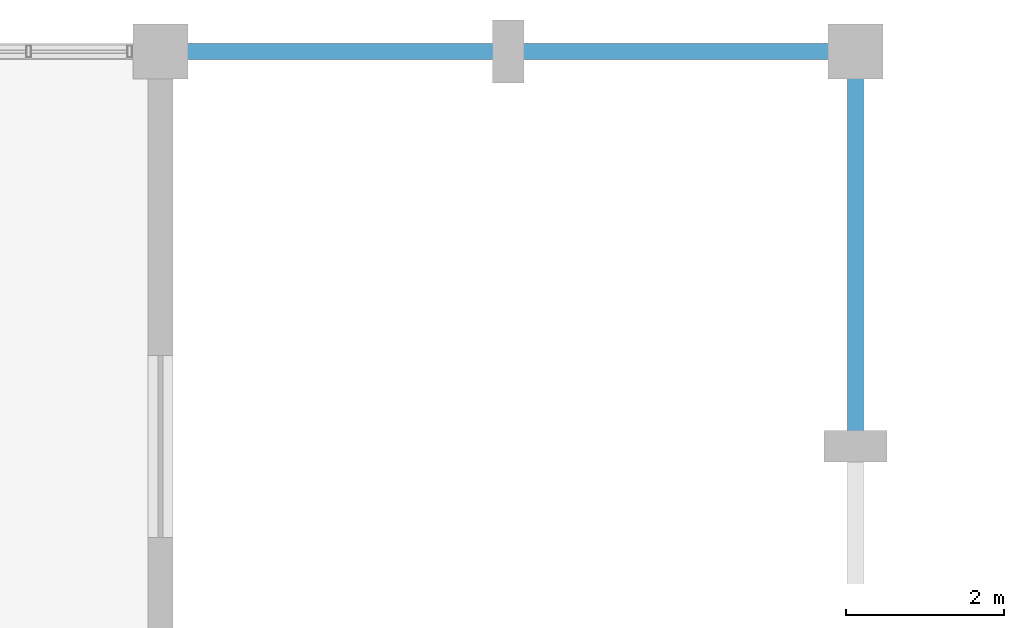
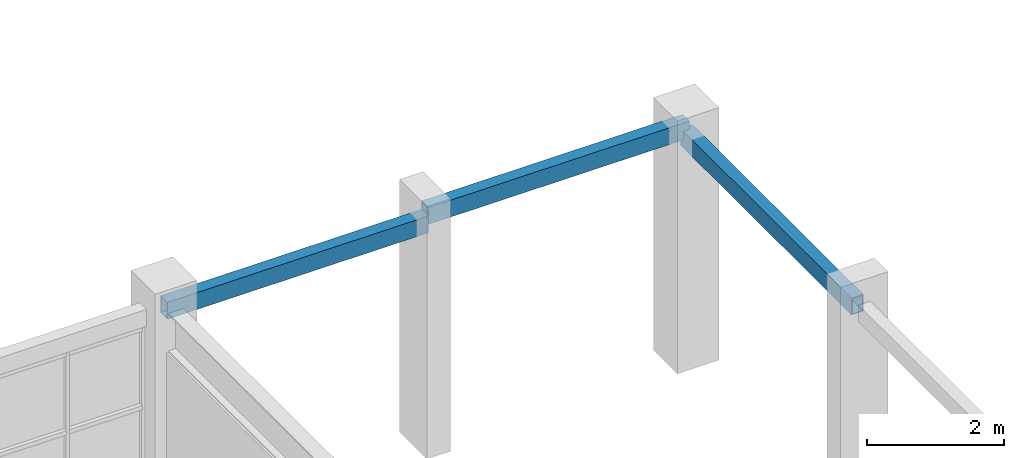
# One storey, part 32 of 55: 3 beams.
"""IFC4 building model written with IfcOpenShell, lengths in metres."""

from ifc_helpers import new_model, si_unit, direction, frame, origin, origin_2d, place, context, subcontext, project, spatial, hollow_rectangle, extrude, material, material_profile, profile_set, type_object, element, save


model = new_model("IFC4")

# Units and contexts
model_context = context("Model", 3, precision=1e-05, world=origin(), true_north=direction((0.0, 1.0)))
body_context = subcontext(model_context, "Body", "Model", "MODEL_VIEW")
ifc_project = project(units=[si_unit("LENGTHUNIT", "METRE"), si_unit("AREAUNIT", "SQUARE_METRE"), si_unit("VOLUMEUNIT", "CUBIC_METRE"), si_unit("PLANEANGLEUNIT", "RADIAN"), si_unit("MASSUNIT", "GRAM", prefix="KILO")], contexts=[model_context])

# Site, building, storey
site_placement = place(None, origin())
site = spatial("IfcSite", under=ifc_project, at=site_placement, CompositionType="ELEMENT")
building_placement = place(site_placement, origin())
building = spatial("IfcBuilding", under=site, at=building_placement, Name="Ventoquebrada Cableway Terminal", CompositionType="ELEMENT")
storey_placement = place(building_placement, frame((0.0, 0.0, 14.39990234375)))
storey = spatial("IfcBuildingStorey", under=building, at=storey_placement, Name="L03", CompositionType="ELEMENT", Elevation=14.39990234375)

# Beams
ifc_material = material(Name="Steel ASTM A500 Grade C", Category="steel")
ifc_material_profile = material_profile(ifc_material, hollow_rectangle(XDim=0.199951171875, YDim=0.300048828125, WallThickness=0.012451171875, at=origin_2d()), Name="RHS300X200X12.5")
ifc_profile_set = profile_set([ifc_material_profile], Name="Steel ASTM A500 Grade C")
beam_type = type_object("IfcBeamType", Name="SP-ST02", PredefinedType="SPANDREL", material=ifc_profile_set)
beam_1_placement = place(storey_placement, frame((26.199951171875, 114.0, 3.93017578125), z_axis=(1.0, 0.0, 0.0), x_axis=(0.0, 1.0, 0.0)))
element("IfcBeam", 1, at=beam_1_placement, inside=storey, type_object=beam_type, Name="Perimeter spandrel beam FBM-0505", PredefinedType="SPANDREL", context=body_context, shape_type="SweptSolid", body=[
    extrude(hollow_rectangle(XDim=0.199951171875, YDim=0.300048828125, WallThickness=0.012451171875, at=origin_2d()), origin(), (0.0, 0.0, 1.0), 4.400146484375),
])
beam_2_placement = place(storey_placement, frame((30.60009765625, 114.0, 4.080078125), z_axis=(1.0, 0.0, 0.0), x_axis=(0.0, 1.0, 0.0)))
element("IfcBeam", 2, at=beam_2_placement, inside=storey, type_object=beam_type, Name="Perimeter spandrel beam FBM-0506", PredefinedType="SPANDREL", context=body_context, shape_type="SweptSolid", body=[
    extrude(hollow_rectangle(XDim=0.199951171875, YDim=0.300048828125, WallThickness=0.012451171875, at=origin_2d()), origin(), (0.0, 0.0, 1.0), 4.39990234375),
])
beam_3_placement = place(storey_placement, frame((35.0, 109.0, 3.93017578125), z_axis=(0.0, 1.0, 0.0), x_axis=(-1.0, 0.0, 0.0)))
element("IfcBeam", 3, at=beam_3_placement, inside=storey, type_object=beam_type, Name="Perimeter spandrel beam FBM-0530", PredefinedType="SPANDREL", context=body_context, shape_type="SweptSolid", body=[
    extrude(hollow_rectangle(XDim=0.199951171875, YDim=0.300048828125, WallThickness=0.012451171875, at=origin_2d()), origin(), (0.0, 0.0, 1.0), 5.0),
])

save(model, "model.ifc")
